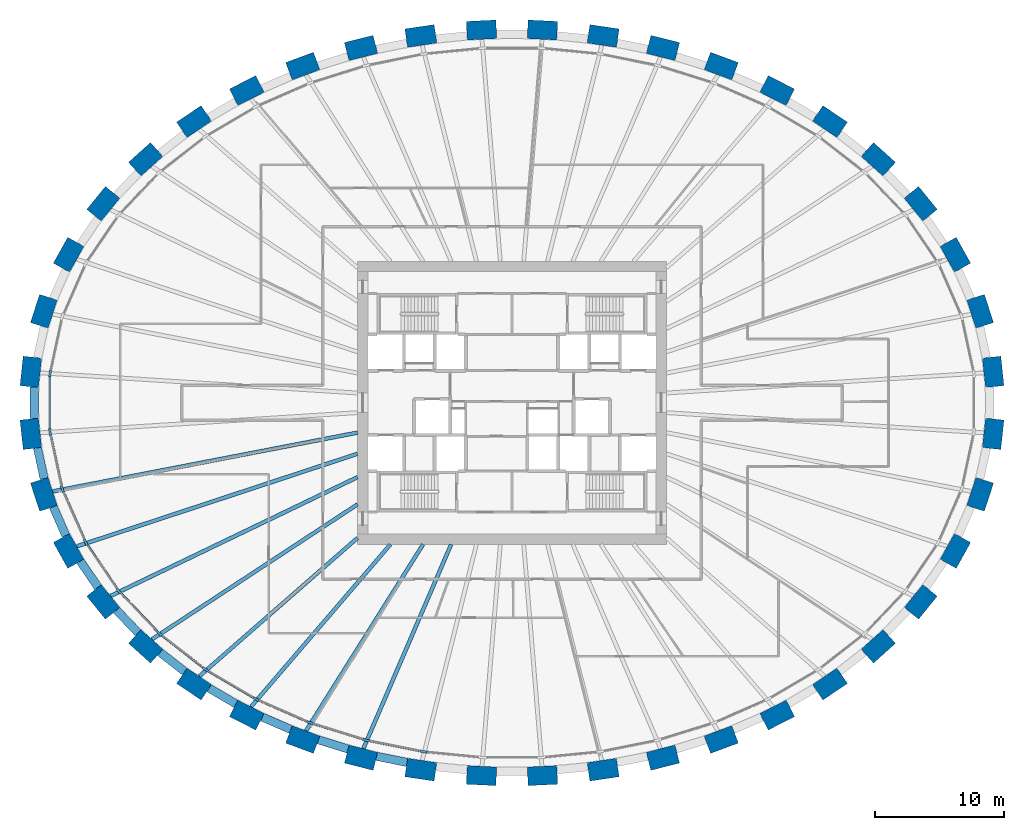
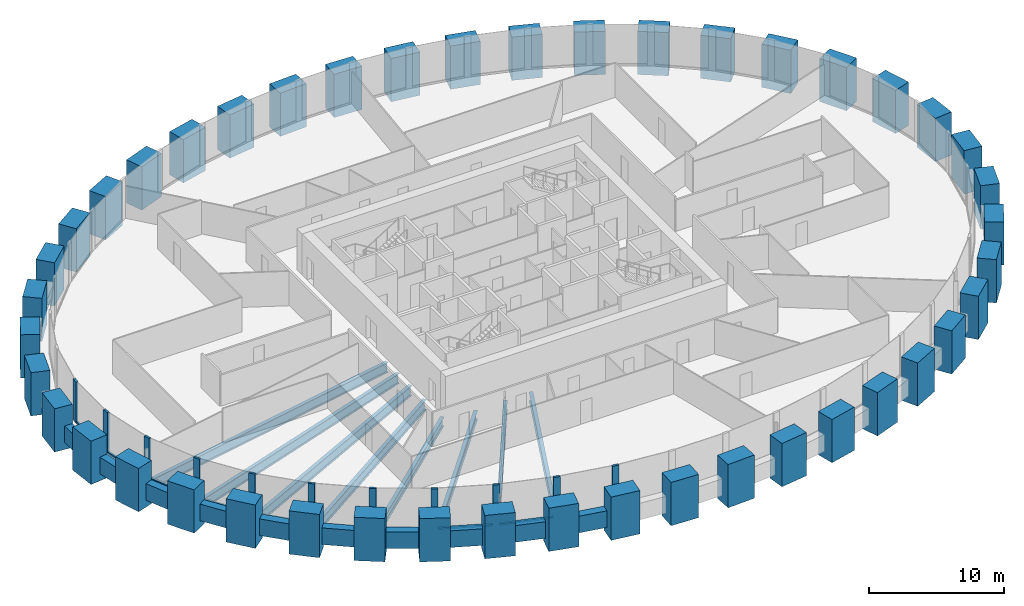
# One storey, part 1 of 10: 44 columns, 21 members, 18 beams, 1 element without a shape of its own.
"""IFC4 building model written with IfcOpenShell, lengths in metres."""

from ifc_helpers import new_model, si_unit, direction, frame, origin, origin_2d, place, context, subcontext, project, spatial, rectangle, i_section, extrude, source, transform, mapped, material, material_profile, profile_set, type_object, element, aggregate, save


model = new_model("IFC4")

# Units and contexts
model_context = context("Model", 3, precision=1e-05, world=origin(), true_north=direction((0.0, 1.0)))
body_context = subcontext(model_context, "Body", "Model", "MODEL_VIEW")
ifc_project = project(units=[si_unit("LENGTHUNIT", "METRE"), si_unit("AREAUNIT", "SQUARE_METRE"), si_unit("VOLUMEUNIT", "CUBIC_METRE"), si_unit("PLANEANGLEUNIT", "RADIAN"), si_unit("MASSUNIT", "GRAM", prefix="KILO")], contexts=[model_context])

# Site, building, storey
site_placement = place(None, origin())
site = spatial("IfcSite", under=ifc_project, at=site_placement, CompositionType="ELEMENT")
building_placement = place(site_placement, origin())
building = spatial("IfcBuilding", under=site, at=building_placement, Name="Embergate Tower", CompositionType="ELEMENT")
storey_placement = place(building_placement, frame((0.0, 0.0, 171.60009765625)))
storey = spatial("IfcBuildingStorey", under=building, at=storey_placement, Name="L38", CompositionType="ELEMENT", Elevation=171.60009765625)

# Columns
ifc_material_1 = material(Name="Concrete C70", Category="concrete")
ifc_material_profile_1 = material_profile(ifc_material_1, rectangle(XDim=1.449951171875, YDim=2.300048828125, at=origin_2d()), Name="RC 1450x2300")
ifc_profile_set_1 = profile_set([ifc_material_profile_1], Name="Concrete C70")
column_type = type_object("IfcColumnType", Name="Ring column RC 1450x2300 C70", PredefinedType="COLUMN", material=ifc_profile_set_1)
shared_shape_1 = source(origin(), body_context, "Body", "SweptSolid", [
    extrude(rectangle(XDim=1.449951171875, YDim=2.300048828125, at=origin_2d()), origin(), (0.0, 0.0, 1.0), 3.900146484375),
])
for number, where, z_axis, x_axis, name in (
    (1, (37.389892578125, 2.406982421875, -1.400146484375), (0.0, 0.0, 1.0), (0.99428589498, 0.106749983816, 0.0), "COL-L38-00"),
    (2, (36.3779296875, 7.10888671875, -1.400146484375), (0.0, 0.0, 1.0), (0.950754033697, 0.309946394413, 0.0), "COL-L38-01"),
    (3, (34.449951171875, 11.5048828125, -1.400146484375), (0.0, 0.0, 1.0), (0.873491969053, 0.486838556403, 0.0), "COL-L38-02"),
    (4, (31.758056640625, 15.465087890625, -1.400146484375), (0.0, 0.0, 1.0), (0.775914301615, 0.630838328377, 0.0), "COL-L38-03"),
    (5, (28.462890625, 18.9208984375, -1.400146484375), (0.0, 0.0, 1.0), (0.669208424634, 0.74307475021, 0.0), "COL-L38-04"),
    (6, (24.70703125, 21.85205078125, -1.400146484375), (0.0, 0.0, 1.0), (0.560393279442, 0.828226643109, 0.0), "COL-L38-05"),
    (7, (20.60791015625, 24.261962890625, -1.400146484375), (0.0, 0.0, 1.0), (0.452994952881, 0.891513080478, 0.0), "COL-L38-06"),
    (8, (16.258056640625, 26.1640625, -1.400146484375), (0.0, 0.0, 1.0), (0.348343015724, 0.93736713373, 0.0), "COL-L38-07"),
    (9, (11.72998046875, 27.574951171875, -1.400146484375), (0.0, 0.0, 1.0), (0.246491603437, 0.969144926951, 0.0), "COL-L38-08"),
    (10, (7.0830078125, 28.507080078125, -1.400146484375), (0.0, 0.0, 1.0), (0.146929011949, 0.989147039346, 0.0), "COL-L38-09"),
    (11, (2.367919921875, 28.969970703125, -1.400146484375), (0.0, 0.0, 1.0), (0.048814904854, 0.998807841912, 0.0), "COL-L38-10"),
    (12, (-2.367919921875, 28.969970703125, -1.400146484375), (0.0, 0.0, 1.0), (-0.048814904854, 0.998807841912, 0.0), "COL-L38-11"),
    (13, (-7.0830078125, 28.507080078125, -1.400146484375), (0.0, 0.0, 1.0), (-0.146929011949, 0.989147039346, 0.0), "COL-L38-12"),
    (14, (-11.72998046875, 27.574951171875, -1.400146484375), (0.0, 0.0, 1.0), (-0.246491603437, 0.969144926951, 0.0), "COL-L38-13"),
    (15, (-16.258056640625, 26.1640625, -1.400146484375), (0.0, 0.0, 1.0), (-0.348343015724, 0.93736713373, 0.0), "COL-L38-14"),
    (16, (-20.60791015625, 24.261962890625, -1.400146484375), (0.0, 0.0, 1.0), (-0.452994952881, 0.891513080478, 0.0), "COL-L38-15"),
    (17, (-24.70703125, 21.85205078125, -1.400146484375), (0.0, 0.0, 1.0), (-0.560393279442, 0.828226643109, 0.0), "COL-L38-16"),
    (18, (-28.462890625, 18.9208984375, -1.400146484375), (0.0, 0.0, 1.0), (-0.669208424634, 0.74307475021, 0.0), "COL-L38-17"),
    (19, (-31.758056640625, 15.465087890625, -1.400146484375), (0.0, 0.0, 1.0), (-0.775914301615, 0.630838328377, 0.0), "COL-L38-18"),
    (20, (-34.449951171875, 11.5048828125, -1.400146484375), (0.0, 0.0, 1.0), (-0.873491969053, 0.486838556403, 0.0), "COL-L38-19"),
    (21, (-36.3779296875, 7.10888671875, -1.400146484375), (0.0, 0.0, 1.0), (-0.950754033697, 0.309946394413, 0.0), "COL-L38-20"),
    (22, (-37.389892578125, 2.406982421875, -1.400146484375), (0.0, 0.0, 1.0), (-0.99428589498, 0.106749983816, 0.0), "COL-L38-21"),
    (23, (-37.389892578125, -2.406982421875, -1.400146484375), (0.0, 0.0, 1.0), (-0.99428589498, -0.106749983816, 0.0), "COL-L38-22"),
    (24, (-36.3779296875, -7.10888671875, -1.400146484375), (0.0, 0.0, 1.0), (-0.950754033697, -0.309946394413, 0.0), "COL-L38-23"),
    (25, (-34.449951171875, -11.5048828125, -1.400146484375), (0.0, 0.0, 1.0), (-0.873491969053, -0.486838556403, 0.0), "COL-L38-24"),
    (26, (-31.758056640625, -15.465087890625, -1.400146484375), (0.0, 0.0, 1.0), (-0.775914301615, -0.630838328377, 0.0), "COL-L38-25"),
    (27, (-28.462890625, -18.9208984375, -1.400146484375), (0.0, 0.0, 1.0), (-0.669208424634, -0.74307475021, 0.0), "COL-L38-26"),
    (28, (-24.70703125, -21.85205078125, -1.400146484375), (0.0, 0.0, 1.0), (-0.560393279442, -0.828226643109, 0.0), "COL-L38-27"),
    (29, (-20.60791015625, -24.261962890625, -1.400146484375), (0.0, 0.0, 1.0), (-0.452994952881, -0.891513080478, 0.0), "COL-L38-28"),
    (30, (-16.258056640625, -26.1640625, -1.400146484375), (0.0, 0.0, 1.0), (-0.348343015724, -0.93736713373, 0.0), "COL-L38-29"),
    (31, (-11.72998046875, -27.574951171875, -1.400146484375), (0.0, 0.0, 1.0), (-0.246491603437, -0.969144926951, 0.0), "COL-L38-30"),
    (32, (-7.0830078125, -28.507080078125, -1.400146484375), (0.0, 0.0, 1.0), (-0.146929011949, -0.989147039346, 0.0), "COL-L38-31"),
    (33, (-2.367919921875, -28.969970703125, -1.400146484375), (0.0, 0.0, 1.0), (-0.048814904854, -0.998807841912, 0.0), "COL-L38-32"),
    (34, (2.367919921875, -28.969970703125, -1.400146484375), (0.0, 0.0, 1.0), (0.048814904854, -0.998807841912, 0.0), "COL-L38-33"),
    (35, (7.0830078125, -28.507080078125, -1.400146484375), (0.0, 0.0, 1.0), (0.146929011949, -0.989147039346, 0.0), "COL-L38-34"),
    (36, (11.72998046875, -27.574951171875, -1.400146484375), (0.0, 0.0, 1.0), (0.246491603437, -0.969144926951, 0.0), "COL-L38-35"),
    (37, (16.258056640625, -26.1640625, -1.400146484375), (0.0, 0.0, 1.0), (0.348343015724, -0.93736713373, 0.0), "COL-L38-36"),
    (38, (20.60791015625, -24.261962890625, -1.400146484375), (0.0, 0.0, 1.0), (0.452994952881, -0.891513080478, 0.0), "COL-L38-37"),
    (39, (24.70703125, -21.85205078125, -1.400146484375), (0.0, 0.0, 1.0), (0.560393279442, -0.828226643109, 0.0), "COL-L38-38"),
    (40, (28.462890625, -18.9208984375, -1.400146484375), (0.0, 0.0, 1.0), (0.669208424634, -0.74307475021, 0.0), "COL-L38-39"),
    (41, (31.758056640625, -15.465087890625, -1.400146484375), (0.0, 0.0, 1.0), (0.775914301615, -0.630838328377, 0.0), "COL-L38-40"),
    (42, (34.449951171875, -11.5048828125, -1.400146484375), (0.0, 0.0, 1.0), (0.873491969053, -0.486838556403, 0.0), "COL-L38-41"),
    (43, (36.3779296875, -7.10888671875, -1.400146484375), (0.0, 0.0, 1.0), (0.950754033697, -0.309946394413, 0.0), "COL-L38-42"),
    (44, (37.389892578125, -2.406982421875, -1.400146484375), (0.0, 0.0, 1.0), (0.99428589498, -0.106749983816, 0.0), "COL-L38-43"),
):
    element("IfcColumn", number, at=place(storey_placement, frame(where, z_axis=z_axis, x_axis=x_axis)), inside=storey, type_object=column_type, Name=name, PredefinedType="COLUMN", context=body_context, shape_type="MappedRepresentation", body=[
        mapped(shared_shape_1, transform((0.0, 0.0, 0.0))),
    ])

# Beams
ifc_material_profile_2 = material_profile(ifc_material_1, rectangle(XDim=0.64990234375, YDim=1.5, at=origin_2d()), Name="RC 650x1500")
ifc_profile_set_2 = profile_set([ifc_material_profile_2], Name="Concrete C70")
beam_type_1 = type_object("IfcBeamType", Name="Spandrel beam RC 650x1500 C70", PredefinedType="BEAM", material=ifc_profile_set_2)
shared_shape_2 = source(origin(), body_context, "Body", "SweptSolid", [
    extrude(rectangle(XDim=0.64990234375, YDim=1.5, at=origin_2d()), origin(), (0.0, 0.0, 1.0), 2.439697265625),
])
beam_1_placement = place(storey_placement, frame((-36.87109375, -3.508056640625, 0.0), z_axis=(0.210738503873, -0.977542471193, 0.0), x_axis=(0.977542471193, 0.210738503873, 0.0)))
element("IfcBeam", 45, at=beam_1_placement, inside=storey, type_object=beam_type_1, Name="SPN-L38-22", PredefinedType="BEAM", context=body_context, shape_type="MappedRepresentation", body=[
    mapped(shared_shape_2, transform((0.0, 0.0, 0.0))),
])
shared_shape_3 = source(origin(), body_context, "Body", "SweptSolid", [
    extrude(rectangle(XDim=0.64990234375, YDim=1.5, at=origin_2d()), origin(), (0.0, 0.0, 1.0), 2.436279296875),
])
beam_2_placement = place(storey_placement, frame((-35.64990234375, -8.0810546875, 0.0), z_axis=(0.401838418441, -0.915710590452, 0.0), x_axis=(0.915710590452, 0.401838418441, 0.0)))
element("IfcBeam", 46, at=beam_2_placement, inside=storey, type_object=beam_type_1, Name="SPN-L38-23", PredefinedType="BEAM", context=body_context, shape_type="MappedRepresentation", body=[
    mapped(shared_shape_3, transform((0.0, 0.0, 0.0))),
])
shared_shape_4 = source(origin(), body_context, "Body", "SweptSolid", [
    extrude(rectangle(XDim=0.64990234375, YDim=1.5, at=origin_2d()), origin(), (0.0, 0.0, 1.0), 2.42724609375),
])
beam_3_placement = place(storey_placement, frame((-33.5400390625, -12.31494140625, 0.0), z_axis=(0.562359541569, -0.826892826191, 0.0), x_axis=(0.826892826191, 0.562359541569, 0.0)))
element("IfcBeam", 47, at=beam_3_placement, inside=storey, type_object=beam_type_1, Name="SPN-L38-24", PredefinedType="BEAM", context=body_context, shape_type="MappedRepresentation", body=[
    mapped(shared_shape_4, transform((0.0, 0.0, 0.0))),
])
shared_shape_5 = source(origin(), body_context, "Body", "SweptSolid", [
    extrude(rectangle(XDim=0.64990234375, YDim=1.5, at=origin_2d()), origin(), (0.0, 0.0, 1.0), 2.421630859375),
])
beam_4_placement = place(storey_placement, frame((-30.72998046875, -16.111083984375, 0.0), z_axis=(0.68996725843, -0.723840577955, 0.0), x_axis=(0.723840577955, 0.68996725843, 0.0)))
element("IfcBeam", 48, at=beam_4_placement, inside=storey, type_object=beam_type_1, Name="SPN-L38-25", PredefinedType="BEAM", context=body_context, shape_type="MappedRepresentation", body=[
    mapped(shared_shape_5, transform((0.0, 0.0, 0.0))),
])
shared_shape_6 = source(origin(), body_context, "Body", "SweptSolid", [
    extrude(rectangle(XDim=0.64990234375, YDim=1.5, at=origin_2d()), origin(), (0.0, 0.0, 1.0), 2.415283203125),
])
beam_5_placement = place(storey_placement, frame((-27.341064453125, -19.39306640625, 0.0), z_axis=(0.788366005977, -0.61520650242, 0.0), x_axis=(0.61520650242, 0.788366005977, 0.0)))
element("IfcBeam", 49, at=beam_5_placement, inside=storey, type_object=beam_type_1, Name="SPN-L38-26", PredefinedType="BEAM", context=body_context, shape_type="MappedRepresentation", body=[
    mapped(shared_shape_6, transform((0.0, 0.0, 0.0))),
])
shared_shape_7 = source(origin(), body_context, "Body", "SweptSolid", [
    extrude(rectangle(XDim=0.64990234375, YDim=1.5, at=origin_2d()), origin(), (0.0, 0.0, 1.0), 2.41015625),
])
beam_6_placement = place(storey_placement, frame((-23.534912109375, -22.172119140625, 0.0), z_axis=(0.862176302717, -0.506608352707, 0.0), x_axis=(0.506608352707, 0.862176302717, 0.0)))
element("IfcBeam", 50, at=beam_6_placement, inside=storey, type_object=beam_type_1, Name="SPN-L38-27", PredefinedType="BEAM", context=body_context, shape_type="MappedRepresentation", body=[
    mapped(shared_shape_7, transform((0.0, 0.0, 0.0))),
])
shared_shape_8 = source(origin(), body_context, "Body", "SweptSolid", [
    extrude(rectangle(XDim=0.64990234375, YDim=1.5, at=origin_2d()), origin(), (0.0, 0.0, 1.0), 2.405029296875),
])
beam_7_placement = place(storey_placement, frame((-19.39892578125, -24.4208984375, 0.0), z_axis=(0.916318010886, -0.400451373983, 0.0), x_axis=(0.400451373983, 0.916318010886, 0.0)))
element("IfcBeam", 51, at=beam_7_placement, inside=storey, type_object=beam_type_1, Name="SPN-L38-28", PredefinedType="BEAM", context=body_context, shape_type="MappedRepresentation", body=[
    mapped(shared_shape_8, transform((0.0, 0.0, 0.0))),
])
shared_shape_9 = source(origin(), body_context, "Body", "SweptSolid", [
    extrude(rectangle(XDim=0.64990234375, YDim=1.5, at=origin_2d()), origin(), (0.0, 0.0, 1.0), 2.40283203125),
])
beam_8_placement = place(storey_placement, frame((-15.0400390625, -26.18798828125, 0.0), z_axis=(0.954689462561, -0.297603813946, 0.0), x_axis=(0.297603813946, 0.954689462561, 0.0)))
element("IfcBeam", 52, at=beam_8_placement, inside=storey, type_object=beam_type_1, Name="SPN-L38-29", PredefinedType="BEAM", context=body_context, shape_type="MappedRepresentation", body=[
    mapped(shared_shape_9, transform((0.0, 0.0, 0.0))),
])
shared_shape_10 = source(origin(), body_context, "Body", "SweptSolid", [
    extrude(rectangle(XDim=0.64990234375, YDim=1.5, at=origin_2d()), origin(), (0.0, 0.0, 1.0), 2.402099609375),
])
beam_9_placement = place(storey_placement, frame((-10.51708984375, -27.471923828125, 0.0), z_axis=(0.980408294351, -0.196976080702, 0.0), x_axis=(0.196976080702, 0.980408294351, 0.0)))
element("IfcBeam", 53, at=beam_9_placement, inside=storey, type_object=beam_type_1, Name="SPN-L38-30", PredefinedType="BEAM", context=body_context, shape_type="MappedRepresentation", body=[
    mapped(shared_shape_10, transform((0.0, 0.0, 0.0))),
])
shared_shape_11 = source(origin(), body_context, "Body", "SweptSolid", [
    extrude(rectangle(XDim=0.64990234375, YDim=1.5, at=origin_2d()), origin(), (0.0, 0.0, 1.0), 2.44189453125),
])
beam_10_placement = place(storey_placement, frame((-37.114013671875, 1.220947265625, 0.0), z_axis=(0.0, -1.0, 0.0), x_axis=(1.0, 0.0, 0.0)))
element("IfcBeam", 54, at=beam_10_placement, inside=storey, type_object=beam_type_1, Name="SPN-L38-21", PredefinedType="BEAM", context=body_context, shape_type="MappedRepresentation", body=[
    mapped(shared_shape_11, transform((0.0, 0.0, 0.0))),
])
ifc_material_2 = material(Name="Steel Q355B", Category="steel")
ifc_material_profile_3 = material_profile(ifc_material_2, i_section(OverallWidth=0.300048828125, OverallDepth=0.89990234375, WebThickness=0.01611328125, FlangeThickness=0.028076171875, FilletRadius=0.028076171875, at=origin_2d()), Name="HN 900x300x16x28")
ifc_profile_set_3 = profile_set([ifc_material_profile_3], Name="Steel Q355 grade B")
beam_type_2 = type_object("IfcBeamType", Name="Radial girder HN 900x300x16x28", PredefinedType="BEAM", material=ifc_profile_set_3)
shared_shape_12 = source(origin(), body_context, "Body", "SweptSolid", [
    extrude(i_section(OverallWidth=0.300048828125, OverallDepth=0.89990234375, WebThickness=0.01611328125, FlangeThickness=0.028076171875, FilletRadius=0.028076171875, at=origin_2d()), origin(), (0.0, 0.0, 1.0), 24.12548828125),
])
beam_11_placement = place(storey_placement, frame((-35.68896484375, -6.884033203125, -0.650146484375), z_axis=(0.981902359672, 0.189387845628, 0.0), x_axis=(-0.189387845628, 0.981902359672, 0.0)))
element("IfcBeam", 55, at=beam_11_placement, inside=storey, type_object=beam_type_2, Name="GIR-L38-23", PredefinedType="BEAM", context=body_context, shape_type="MappedRepresentation", body=[
    mapped(shared_shape_12, transform((0.0, 0.0, 0.0))),
])
shared_shape_13 = source(origin(), body_context, "Body", "SweptSolid", [
    extrude(i_section(OverallWidth=0.300048828125, OverallDepth=0.89990234375, WebThickness=0.01611328125, FlangeThickness=0.028076171875, FilletRadius=0.028076171875, at=origin_2d()), origin(), (0.0, 0.0, 1.0), 22.97265625),
])
beam_12_placement = place(storey_placement, frame((-33.81689453125, -11.152099609375, -0.650146484375), z_axis=(0.949687014879, 0.313200532838, 0.0), x_axis=(-0.313200532838, 0.949687014879, 0.0)))
element("IfcBeam", 56, at=beam_12_placement, inside=storey, type_object=beam_type_2, Name="GIR-L38-24", PredefinedType="BEAM", context=body_context, shape_type="MappedRepresentation", body=[
    mapped(shared_shape_13, transform((0.0, 0.0, 0.0))),
])
shared_shape_14 = source(origin(), body_context, "Body", "SweptSolid", [
    extrude(i_section(OverallWidth=0.300048828125, OverallDepth=0.89990234375, WebThickness=0.01611328125, FlangeThickness=0.028076171875, FilletRadius=0.028076171875, at=origin_2d()), origin(), (0.0, 0.0, 1.0), 21.301025390625),
])
beam_13_placement = place(storey_placement, frame((-31.195068359375, -15.008056640625, -0.650146484375), z_axis=(0.901129390798, 0.433550252035, 0.0), x_axis=(-0.433550252035, 0.901129390798, 0.0)))
element("IfcBeam", 57, at=beam_13_placement, inside=storey, type_object=beam_type_2, Name="GIR-L38-25", PredefinedType="BEAM", context=body_context, shape_type="MappedRepresentation", body=[
    mapped(shared_shape_14, transform((0.0, 0.0, 0.0))),
])
shared_shape_15 = source(origin(), body_context, "Body", "SweptSolid", [
    extrude(i_section(OverallWidth=0.300048828125, OverallDepth=0.89990234375, WebThickness=0.01611328125, FlangeThickness=0.028076171875, FilletRadius=0.028076171875, at=origin_2d()), origin(), (0.0, 0.0, 1.0), 19.1181640625),
])
beam_14_placement = place(storey_placement, frame((-27.97802734375, -18.382080078125, -0.650146484375), z_axis=(0.835748679781, 0.549112141775, 0.0), x_axis=(-0.549112141775, 0.835748679781, 0.0)))
element("IfcBeam", 58, at=beam_14_placement, inside=storey, type_object=beam_type_2, Name="GIR-L38-26", PredefinedType="BEAM", context=body_context, shape_type="MappedRepresentation", body=[
    mapped(shared_shape_15, transform((0.0, 0.0, 0.0))),
])
ifc_material_profile_4 = material_profile(ifc_material_2, i_section(OverallWidth=0.300048828125, OverallDepth=0.800048828125, WebThickness=0.013916015625, FlangeThickness=0.02587890625, FilletRadius=0.028076171875, at=origin_2d()), Name="HN 800x300x14x26")
ifc_profile_set_4 = profile_set([ifc_material_profile_4], Name="Steel Q355 grade B")
beam_type_3 = type_object("IfcBeamType", Name="Radial girder HN 800x300x14x26", PredefinedType="BEAM", material=ifc_profile_set_4)
shared_shape_16 = source(origin(), body_context, "Body", "SweptSolid", [
    extrude(i_section(OverallWidth=0.300048828125, OverallDepth=0.800048828125, WebThickness=0.013916015625, FlangeThickness=0.02587890625, FilletRadius=0.028076171875, at=origin_2d()), origin(), (0.0, 0.0, 1.0), 16.341796875),
])
beam_15_placement = place(storey_placement, frame((-24.301025390625, -21.251953125, -0.60009765625), z_axis=(0.752738629267, 0.65831949387, 0.0), x_axis=(-0.65831949387, 0.752738629267, 0.0)))
element("IfcBeam", 59, at=beam_15_placement, inside=storey, type_object=beam_type_3, Name="GIR-L38-27", PredefinedType="BEAM", context=body_context, shape_type="MappedRepresentation", body=[
    mapped(shared_shape_16, transform((0.0, 0.0, 0.0))),
])
shared_shape_17 = source(origin(), body_context, "Body", "SweptSolid", [
    extrude(i_section(OverallWidth=0.300048828125, OverallDepth=0.800048828125, WebThickness=0.013916015625, FlangeThickness=0.02587890625, FilletRadius=0.028076171875, at=origin_2d()), origin(), (0.0, 0.0, 1.0), 16.62939453125),
])
beam_16_placement = place(storey_placement, frame((-20.280029296875, -23.615966796875, -0.60009765625), z_axis=(0.651494757219, 0.758653136364, 0.0), x_axis=(-0.758653136364, 0.651494757219, 0.0)))
element("IfcBeam", 60, at=beam_16_placement, inside=storey, type_object=beam_type_3, Name="GIR-L38-28", PredefinedType="BEAM", context=body_context, shape_type="MappedRepresentation", body=[
    mapped(shared_shape_17, transform((0.0, 0.0, 0.0))),
])
shared_shape_18 = source(origin(), body_context, "Body", "SweptSolid", [
    extrude(i_section(OverallWidth=0.300048828125, OverallDepth=0.800048828125, WebThickness=0.013916015625, FlangeThickness=0.02587890625, FilletRadius=0.028076171875, at=origin_2d()), origin(), (0.0, 0.0, 1.0), 17.103271484375),
])
beam_17_placement = place(storey_placement, frame((-16.0048828125, -25.48388671875, -0.60009765625), z_axis=(0.531827416629, 0.846852761064, 0.0), x_axis=(-0.846852761064, 0.531827416629, 0.0)))
element("IfcBeam", 61, at=beam_17_placement, inside=storey, type_object=beam_type_3, Name="GIR-L38-29", PredefinedType="BEAM", context=body_context, shape_type="MappedRepresentation", body=[
    mapped(shared_shape_18, transform((0.0, 0.0, 0.0))),
])
shared_shape_19 = source(origin(), body_context, "Body", "SweptSolid", [
    extrude(i_section(OverallWidth=0.300048828125, OverallDepth=0.800048828125, WebThickness=0.013916015625, FlangeThickness=0.02587890625, FilletRadius=0.028076171875, at=origin_2d()), origin(), (0.0, 0.0, 1.0), 17.2763671875),
])
beam_18_placement = place(storey_placement, frame((-11.551025390625, -26.8720703125, -0.60009765625), z_axis=(0.394930430289, 0.918711029232, 0.0), x_axis=(-0.918711029232, 0.394930430289, 0.0)))
element("IfcBeam", 62, at=beam_18_placement, inside=storey, type_object=beam_type_3, Name="GIR-L38-30", PredefinedType="BEAM", context=body_context, shape_type="MappedRepresentation", body=[
    mapped(shared_shape_19, transform((0.0, 0.0, 0.0))),
])

# Curtain wall, members
ifc_material_3 = material(Name="Aluminium and glass", Category="aluminium")
curtain_wall_type = type_object("IfcCurtainWallType", Name="Recessed office glazing", PredefinedType="NOTDEFINED", material=ifc_material_3)
curtain_wall_placement = place(storey_placement, origin())
curtain_wall = element("IfcCurtainWall", 63, at=curtain_wall_placement, inside=storey, type_object=curtain_wall_type, Name="Recessed office glazing ring", ObjectType="RECESSED OFFICE GLAZING", PredefinedType="USERDEFINED")
ifc_material_4 = material(Name="Aluminium, thermally broken", Category="aluminium")
ifc_material_profile_5 = material_profile(ifc_material_4, rectangle(XDim=0.179931640625, YDim=0.52001953125, at=origin_2d()), Name="AL 520x180")
ifc_profile_set_5 = profile_set([ifc_material_profile_5], Name="Aluminium, thermally broken")
member_type_1 = type_object("IfcMemberType", Name="Office mullion", PredefinedType="MULLION", material=ifc_profile_set_5)
shared_shape_20 = source(origin(), body_context, "Body", "SweptSolid", [
    extrude(rectangle(XDim=0.179931640625, YDim=0.52001953125, at=origin_2d()), origin(), (0.0, 0.0, 1.0), 3.699951171875),
])
member_1_placement = place(storey_placement, frame((-35.899658203125, 2.263427734375, 0.0), z_axis=(0.0, 0.0, 1.0), x_axis=(0.994384770038, -0.105824992874, 0.0)))
member_1 = element("IfcMember", 64, at=member_1_placement, type_object=member_type_1, Name="CW mullion 22", PredefinedType="MULLION", context=body_context, shape_type="MappedRepresentation", body=[
    mapped(shared_shape_20, transform((0.0, 0.0, 0.0))),
])
member_2_placement = place(storey_placement, frame((-35.899658203125, -2.263427734375, 0.0), z_axis=(0.0, 0.0, 1.0), x_axis=(0.994384770038, 0.105824992874, 0.0)))
member_2 = element("IfcMember", 65, at=member_2_placement, type_object=member_type_1, Name="CW mullion 23", PredefinedType="MULLION", context=body_context, shape_type="MappedRepresentation", body=[
    mapped(shared_shape_20, transform((0.0, 0.0, 0.0))),
])
member_3_placement = place(storey_placement, frame((-34.94677734375, -6.691650390625, 0.0), z_axis=(0.0, 0.0, 1.0), x_axis=(0.951496187099, 0.307660536853, 0.0)))
member_3 = element("IfcMember", 66, at=member_3_placement, type_object=member_type_1, Name="CW mullion 24", PredefinedType="MULLION", context=body_context, shape_type="MappedRepresentation", body=[
    mapped(shared_shape_20, transform((0.0, 0.0, 0.0))),
])
member_4_placement = place(storey_placement, frame((-33.12451171875, -10.84619140625, 0.0), z_axis=(0.0, 0.0, 1.0), x_axis=(0.874998516019, 0.484125600402, 0.0)))
member_4 = element("IfcMember", 67, at=member_4_placement, type_object=member_type_1, Name="CW mullion 25", PredefinedType="MULLION", context=body_context, shape_type="MappedRepresentation", body=[
    mapped(shared_shape_20, transform((0.0, 0.0, 0.0))),
])
member_5_placement = place(storey_placement, frame((-30.568359375, -14.60498046875, 0.0), z_axis=(0.0, 0.0, 1.0), x_axis=(0.777867080309, 0.62842883875, 0.0)))
member_5 = element("IfcMember", 68, at=member_5_placement, type_object=member_type_1, Name="CW mullion 26", PredefinedType="MULLION", context=body_context, shape_type="MappedRepresentation", body=[
    mapped(shared_shape_20, transform((0.0, 0.0, 0.0))),
])
member_6_placement = place(storey_placement, frame((-27.425537109375, -17.900634765625, 0.0), z_axis=(0.0, 0.0, 1.0), x_axis=(0.671221359023, 0.741256964346, 0.0)))
member_6 = element("IfcMember", 69, at=member_6_placement, type_object=member_type_1, Name="CW mullion 27", PredefinedType="MULLION", context=body_context, shape_type="MappedRepresentation", body=[
    mapped(shared_shape_20, transform((0.0, 0.0, 0.0))),
])
member_7_placement = place(storey_placement, frame((-23.82958984375, -20.70703125, 0.0), z_axis=(0.0, 0.0, 1.0), x_axis=(0.562210401679, 0.82699423471, 0.0)))
member_7 = element("IfcMember", 70, at=member_7_placement, type_object=member_type_1, Name="CW mullion 28", PredefinedType="MULLION", context=body_context, shape_type="MappedRepresentation", body=[
    mapped(shared_shape_20, transform((0.0, 0.0, 0.0))),
])
member_8_placement = place(storey_placement, frame((-19.89208984375, -23.02197265625, 0.0), z_axis=(0.0, 0.0, 1.0), x_axis=(0.45450516197, 0.8907441034, 0.0)))
member_8 = element("IfcMember", 71, at=member_8_placement, type_object=member_type_1, Name="CW mullion 29", PredefinedType="MULLION", context=body_context, shape_type="MappedRepresentation", body=[
    mapped(shared_shape_20, transform((0.0, 0.0, 0.0))),
])
member_9_placement = place(storey_placement, frame((-15.702880859375, -24.853759765625, 0.0), z_axis=(0.0, 0.0, 1.0), x_axis=(0.349497777064, 0.936937193107, 0.0)))
member_9 = element("IfcMember", 72, at=member_9_placement, type_object=member_type_1, Name="CW mullion 30", PredefinedType="MULLION", context=body_context, shape_type="MappedRepresentation", body=[
    mapped(shared_shape_20, transform((0.0, 0.0, 0.0))),
])
member_10_placement = place(storey_placement, frame((-11.334716796875, -26.214111328125, 0.0), z_axis=(0.0, 0.0, 1.0), x_axis=(0.247308499144, 0.96893679167, 0.0)))
member_10 = element("IfcMember", 73, at=member_10_placement, type_object=member_type_1, Name="CW mullion 31", PredefinedType="MULLION", context=body_context, shape_type="MappedRepresentation", body=[
    mapped(shared_shape_20, transform((0.0, 0.0, 0.0))),
])
member_11_placement = place(storey_placement, frame((-6.846435546875, -27.1142578125, 0.0), z_axis=(0.0, 0.0, 1.0), x_axis=(0.147408930294, 0.989075632735, 0.0)))
member_11 = element("IfcMember", 74, at=member_11_placement, type_object=member_type_1, Name="CW mullion 32", PredefinedType="MULLION", context=body_context, shape_type="MappedRepresentation", body=[
    mapped(shared_shape_20, transform((0.0, 0.0, 0.0))),
])
ifc_material_profile_6 = material_profile(ifc_material_4, rectangle(XDim=0.179931640625, YDim=0.14990234375, at=origin_2d()), Name="AL 150x180")
ifc_profile_set_6 = profile_set([ifc_material_profile_6], Name="Aluminium, thermally broken")
member_type_2 = type_object("IfcMemberType", Name="Office sill transom", PredefinedType="USERDEFINED", material=ifc_profile_set_6)
shared_shape_21 = source(origin(), body_context, "Body", "SweptSolid", [
    extrude(rectangle(XDim=0.179931640625, YDim=0.14990234375, at=origin_2d()), origin(), (0.0, 0.0, 1.0), 4.009765625),
])
member_12_placement = place(storey_placement, frame((-35.844970703125, -2.517578125, 0.074951171875), z_axis=(0.210368972531, -0.977622061635, 0.0), x_axis=(0.977622061635, 0.210368972531, 0.0)))
member_12 = element("IfcMember", 75, at=member_12_placement, type_object=member_type_2, Name="CW transom 23.1", ObjectType="TRANSOM", PredefinedType="USERDEFINED", context=body_context, shape_type="MappedRepresentation", body=[
    mapped(shared_shape_21, transform((0.0, 0.0, 0.0))),
])
shared_shape_22 = source(origin(), body_context, "Body", "SweptSolid", [
    extrude(rectangle(XDim=0.179931640625, YDim=0.14990234375, at=origin_2d()), origin(), (0.0, 0.0, 1.0), 4.0166015625),
])
member_13_placement = place(storey_placement, frame((-34.84228515625, -6.9296875, 0.074951171875), z_axis=(0.401644503167, -0.915795661202, 0.0), x_axis=(0.915795661202, 0.401644503167, 0.0)))
member_13 = element("IfcMember", 76, at=member_13_placement, type_object=member_type_2, Name="CW transom 24.1", ObjectType="TRANSOM", PredefinedType="USERDEFINED", context=body_context, shape_type="MappedRepresentation", body=[
    mapped(shared_shape_22, transform((0.0, 0.0, 0.0))),
])
shared_shape_23 = source(origin(), body_context, "Body", "SweptSolid", [
    extrude(rectangle(XDim=0.179931640625, YDim=0.14990234375, at=origin_2d()), origin(), (0.0, 0.0, 1.0), 4.025390625),
])
member_14_placement = place(storey_placement, frame((-32.978271484375, -11.061279296875, 0.074951171875), z_axis=(0.562346517012, -0.826901683881, 0.0), x_axis=(0.826901683881, 0.562346517012, 0.0)))
member_14 = element("IfcMember", 77, at=member_14_placement, type_object=member_type_2, Name="CW transom 25.1", ObjectType="TRANSOM", PredefinedType="USERDEFINED", context=body_context, shape_type="MappedRepresentation", body=[
    mapped(shared_shape_23, transform((0.0, 0.0, 0.0))),
])
shared_shape_24 = source(origin(), body_context, "Body", "SweptSolid", [
    extrude(rectangle(XDim=0.179931640625, YDim=0.14990234375, at=origin_2d()), origin(), (0.0, 0.0, 1.0), 4.033935546875),
])
member_15_placement = place(storey_placement, frame((-30.388916015625, -14.79296875, 0.074951171875), z_axis=(0.690112930661, -0.723701694716, 0.0), x_axis=(0.723701694716, 0.690112930661, 0.0)))
member_15 = element("IfcMember", 78, at=member_15_placement, type_object=member_type_2, Name="CW transom 26.1", ObjectType="TRANSOM", PredefinedType="USERDEFINED", context=body_context, shape_type="MappedRepresentation", body=[
    mapped(shared_shape_24, transform((0.0, 0.0, 0.0))),
])
shared_shape_25 = source(origin(), body_context, "Body", "SweptSolid", [
    extrude(rectangle(XDim=0.179931640625, YDim=0.14990234375, at=origin_2d()), origin(), (0.0, 0.0, 1.0), 4.04150390625),
])
member_16_placement = place(storey_placement, frame((-27.220458984375, -18.060546875, 0.074951171875), z_axis=(0.788326502743, -0.615257121107, 0.0), x_axis=(0.615257121107, 0.788326502743, 0.0)))
member_16 = element("IfcMember", 79, at=member_16_placement, type_object=member_type_2, Name="CW transom 27.1", ObjectType="TRANSOM", PredefinedType="USERDEFINED", context=body_context, shape_type="MappedRepresentation", body=[
    mapped(shared_shape_25, transform((0.0, 0.0, 0.0))),
])
shared_shape_26 = source(origin(), body_context, "Body", "SweptSolid", [
    extrude(rectangle(XDim=0.179931640625, YDim=0.14990234375, at=origin_2d()), origin(), (0.0, 0.0, 1.0), 4.047607421875),
])
member_17_placement = place(storey_placement, frame((-23.60546875, -20.8388671875, 0.074951171875), z_axis=(0.862067536609, -0.50679341188, 0.0), x_axis=(0.50679341188, 0.862067536609, 0.0)))
member_17 = element("IfcMember", 80, at=member_17_placement, type_object=member_type_2, Name="CW transom 28.1", ObjectType="TRANSOM", PredefinedType="USERDEFINED", context=body_context, shape_type="MappedRepresentation", body=[
    mapped(shared_shape_26, transform((0.0, 0.0, 0.0))),
])
shared_shape_27 = source(origin(), body_context, "Body", "SweptSolid", [
    extrude(rectangle(XDim=0.179931640625, YDim=0.14990234375, at=origin_2d()), origin(), (0.0, 0.0, 1.0), 4.052001953125),
])
member_18_placement = place(storey_placement, frame((-19.65380859375, -23.126220703125, 0.074951171875), z_axis=(0.91624719551, -0.400613375613, 0.0), x_axis=(0.400613375613, 0.91624719551, 0.0)))
member_18 = element("IfcMember", 81, at=member_18_placement, type_object=member_type_2, Name="CW transom 29.1", ObjectType="TRANSOM", PredefinedType="USERDEFINED", context=body_context, shape_type="MappedRepresentation", body=[
    mapped(shared_shape_27, transform((0.0, 0.0, 0.0))),
])
shared_shape_28 = source(origin(), body_context, "Body", "SweptSolid", [
    extrude(rectangle(XDim=0.179931640625, YDim=0.14990234375, at=origin_2d()), origin(), (0.0, 0.0, 1.0), 4.055419921875),
])
member_19_placement = place(storey_placement, frame((-15.454833984375, -24.930908203125, 0.074951171875), z_axis=(0.954775154278, -0.297328782281, 0.0), x_axis=(0.297328782281, 0.954775154278, 0.0)))
member_19 = element("IfcMember", 82, at=member_19_placement, type_object=member_type_2, Name="CW transom 30.1", ObjectType="TRANSOM", PredefinedType="USERDEFINED", context=body_context, shape_type="MappedRepresentation", body=[
    mapped(shared_shape_28, transform((0.0, 0.0, 0.0))),
])
shared_shape_29 = source(origin(), body_context, "Body", "SweptSolid", [
    extrude(rectangle(XDim=0.179931640625, YDim=0.14990234375, at=origin_2d()), origin(), (0.0, 0.0, 1.0), 4.057373046875),
])
member_20_placement = place(storey_placement, frame((-11.07958984375, -26.26513671875, 0.074951171875), z_axis=(0.980476396391, -0.196636812728, 0.0), x_axis=(0.196636812728, 0.980476396391, 0.0)))
member_20 = element("IfcMember", 83, at=member_20_placement, type_object=member_type_2, Name="CW transom 31.1", ObjectType="TRANSOM", PredefinedType="USERDEFINED", context=body_context, shape_type="MappedRepresentation", body=[
    mapped(shared_shape_29, transform((0.0, 0.0, 0.0))),
])
shared_shape_30 = source(origin(), body_context, "Body", "SweptSolid", [
    extrude(rectangle(XDim=0.179931640625, YDim=0.14990234375, at=origin_2d()), origin(), (0.0, 0.0, 1.0), 4.0068359375),
])
member_21_placement = place(storey_placement, frame((-35.899658203125, 2.00341796875, 0.074951171875), z_axis=(0.0, -1.0, 0.0), x_axis=(1.0, 0.0, 0.0)))
member_21 = element("IfcMember", 84, at=member_21_placement, type_object=member_type_2, Name="CW transom 22.1", ObjectType="TRANSOM", PredefinedType="USERDEFINED", context=body_context, shape_type="MappedRepresentation", body=[
    mapped(shared_shape_30, transform((0.0, 0.0, 0.0))),
])
aggregate(curtain_wall, [member_1, member_2, member_3, member_4, member_5, member_6, member_7, member_8, member_9, member_10, member_11, member_21, member_12, member_13, member_14, member_15, member_16, member_17, member_18, member_19, member_20])

save(model, "model.ifc")
